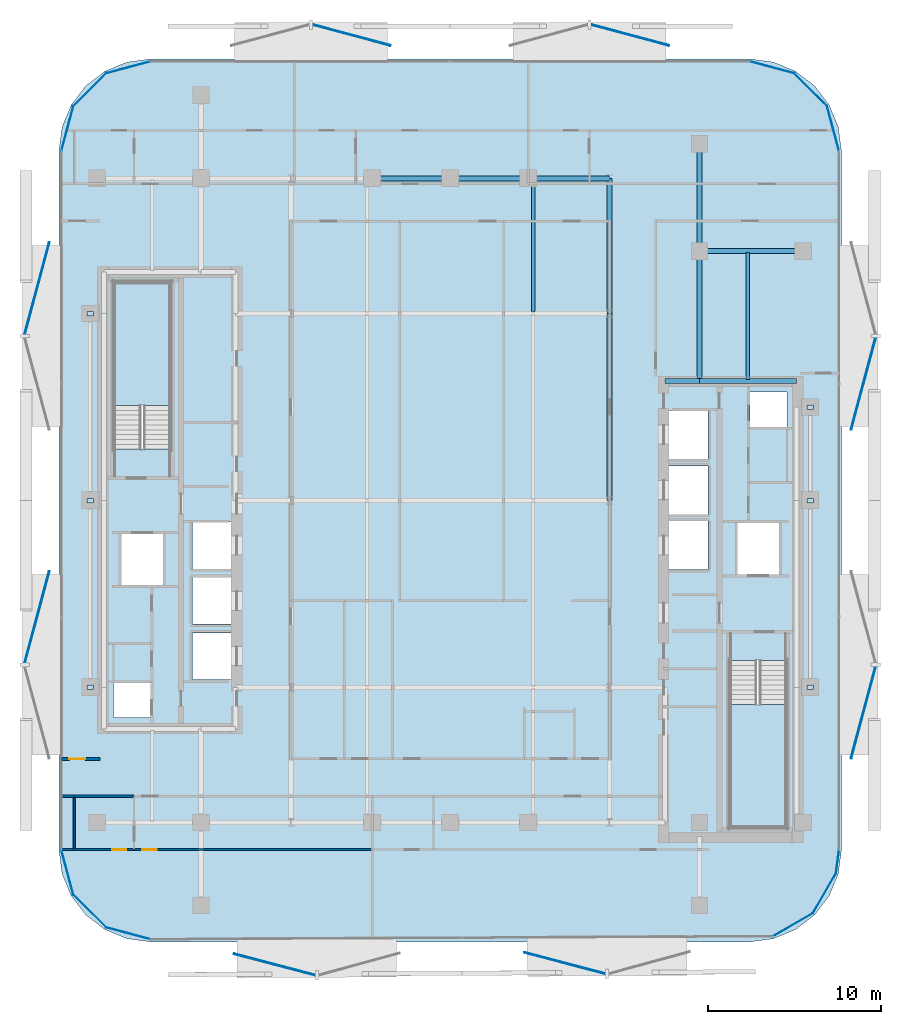
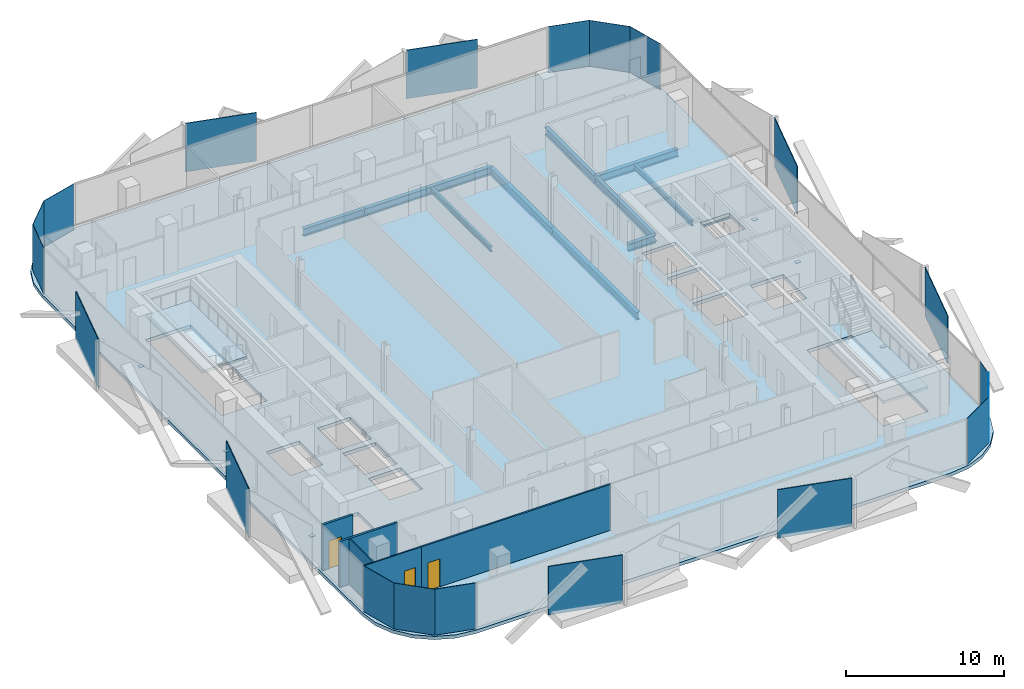
# One storey, part 2 of 16: 26 plates, 12 beams, 5 walls, 3 doors, 3 slabs, 3 openings, 2 elements without a shape of their own.
"""IFC4 building model written with IfcOpenShell, lengths in metres."""

from ifc_helpers import new_model, si_unit, direction, frame, frame_2d, origin, origin_2d, place, context, subcontext, project, spatial, polyline, rectangle, i_section, outline, extrude, material, layer, layer_set, material_profile, profile_set, type_object, element, fill, aggregate, save


model = new_model("IFC4")

# Units and contexts
model_context = context("Model", 3, precision=1e-05, world=origin(), true_north=direction((0.0, 1.0)))
body_context = subcontext(model_context, "Body", "Model", "MODEL_VIEW")
ifc_project = project(units=[si_unit("LENGTHUNIT", "METRE"), si_unit("AREAUNIT", "SQUARE_METRE"), si_unit("VOLUMEUNIT", "CUBIC_METRE"), si_unit("PLANEANGLEUNIT", "RADIAN"), si_unit("MASSUNIT", "GRAM", prefix="KILO")], contexts=[model_context])

# Site, building, storey
site_placement = place(None, origin())
site = spatial("IfcSite", under=ifc_project, at=site_placement, CompositionType="ELEMENT")
building_placement = place(site_placement, origin())
building = spatial("IfcBuilding", under=site, at=building_placement, Name="Khairoan Windgate Tower", CompositionType="ELEMENT")
storey_placement = place(building_placement, frame((0.0, 0.0, 184.0)))
storey = spatial("IfcBuildingStorey", under=building, at=storey_placement, Name="L42", CompositionType="ELEMENT", Elevation=184.0)

# Beams
ifc_material_1 = material(Name="Steel S355", Category="steel")
ifc_material_profile_1 = material_profile(ifc_material_1, i_section(OverallWidth=0.300048828125, OverallDepth=0.587890625, WebThickness=0.011962890625, FlangeThickness=0.02001953125, FilletRadius=0.02392578125, at=origin_2d()))
ifc_profile_set_1 = profile_set([ifc_material_profile_1], Name="Steel S355")
beam_type_1 = type_object("IfcBeamType", Name="Beam B-G4 H588x300x12x20", PredefinedType="BEAM", material=ifc_profile_set_1)
beam_1_placement = place(storey_placement, frame((12.39990234375, 6.89990234375, -0.553955078125), z_axis=(1.0, 0.0, 0.0), x_axis=(0.0, 1.0, 0.0)))
element("IfcBeam", 1, at=beam_1_placement, inside=storey, type_object=beam_type_1, Name="L42 E-W Primary Girder 15", PredefinedType="BEAM", context=body_context, shape_type="SweptSolid", body=[
    extrude(i_section(OverallWidth=0.300048828125, OverallDepth=0.587890625, WebThickness=0.011962890625, FlangeThickness=0.02001953125, FilletRadius=0.02392578125, at=origin_2d()), origin(), (0.0, 0.0, 1.0), 2.0),
])
beam_2_placement = place(storey_placement, frame((14.39990234375, 6.89990234375, -0.553955078125), z_axis=(1.0, 0.0, 0.0), x_axis=(0.0, 1.0, 0.0)))
element("IfcBeam", 2, at=beam_2_placement, inside=storey, type_object=beam_type_1, Name="L42 E-W Primary Girder 16", PredefinedType="BEAM", context=body_context, shape_type="SweptSolid", body=[
    extrude(i_section(OverallWidth=0.300048828125, OverallDepth=0.587890625, WebThickness=0.011962890625, FlangeThickness=0.02001953125, FilletRadius=0.02392578125, at=origin_2d()), origin(), (0.0, 0.0, 1.0), 5.60009765625),
])
beam_3_placement = place(storey_placement, frame((14.39990234375, 14.39990234375, -0.553955078125), z_axis=(1.0, 0.0, 0.0), x_axis=(0.0, 1.0, 0.0)))
element("IfcBeam", 3, at=beam_3_placement, inside=storey, type_object=beam_type_1, Name="L42 E-W Primary Girder 21", PredefinedType="BEAM", context=body_context, shape_type="SweptSolid", body=[
    extrude(i_section(OverallWidth=0.300048828125, OverallDepth=0.587890625, WebThickness=0.011962890625, FlangeThickness=0.02001953125, FilletRadius=0.02392578125, at=origin_2d()), origin(), (0.0, 0.0, 1.0), 6.0),
])
for number, where, z_axis, x_axis, name in (
    (4, (-4.5, 18.60009765625, -0.553955078125), (1.0, 0.0, 0.0), (0.0, 1.0, 0.0), "L42 E-W Primary Girder 25"),
    (5, (0.0, 18.60009765625, -0.553955078125), (1.0, 0.0, 0.0), (0.0, 1.0, 0.0), "L42 E-W Primary Girder 26"),
):
    element("IfcBeam", number, at=place(storey_placement, frame(where, z_axis=z_axis, x_axis=x_axis)), inside=storey, type_object=beam_type_1, Name=name, PredefinedType="BEAM", context=body_context, shape_type="SweptSolid", body=[
        extrude(i_section(OverallWidth=0.300048828125, OverallDepth=0.587890625, WebThickness=0.011962890625, FlangeThickness=0.02001953125, FilletRadius=0.02392578125, at=origin_2d()), origin(), (0.0, 0.0, 1.0), 4.5),
    ])
beam_4_placement = place(storey_placement, frame((4.5, 18.60009765625, -0.553955078125), z_axis=(1.0, 0.0, 0.0), x_axis=(0.0, 1.0, 0.0)))
element("IfcBeam", 6, at=beam_4_placement, inside=storey, type_object=beam_type_1, Name="L42 E-W Primary Girder 27", PredefinedType="BEAM", context=body_context, shape_type="SweptSolid", body=[
    extrude(i_section(OverallWidth=0.300048828125, OverallDepth=0.587890625, WebThickness=0.011962890625, FlangeThickness=0.02001953125, FilletRadius=0.02392578125, at=origin_2d()), origin(), (0.0, 0.0, 1.0), 4.699951171875),
])
beam_5_placement = place(storey_placement, frame((9.199951171875, 0.0, -0.553955078125), z_axis=(0.0, 1.0, 0.0), x_axis=(-1.0, 0.0, 0.0)))
element("IfcBeam", 7, at=beam_5_placement, inside=storey, type_object=beam_type_1, Name="L42 N-S Primary Beam 47", PredefinedType="BEAM", context=body_context, shape_type="SweptSolid", body=[
    extrude(i_section(OverallWidth=0.300048828125, OverallDepth=0.587890625, WebThickness=0.011962890625, FlangeThickness=0.02001953125, FilletRadius=0.02392578125, at=origin_2d()), origin(), (0.0, 0.0, 1.0), 10.800048828125),
])
beam_6_placement = place(storey_placement, frame((9.199951171875, 10.800048828125, -0.553955078125), z_axis=(0.0, 1.0, 0.0), x_axis=(-1.0, 0.0, 0.0)))
element("IfcBeam", 8, at=beam_6_placement, inside=storey, type_object=beam_type_1, Name="L42 N-S Primary Beam 48", PredefinedType="BEAM", context=body_context, shape_type="SweptSolid", body=[
    extrude(i_section(OverallWidth=0.300048828125, OverallDepth=0.587890625, WebThickness=0.011962890625, FlangeThickness=0.02001953125, FilletRadius=0.02392578125, at=origin_2d()), origin(), (0.0, 0.0, 1.0), 7.800048828125),
])
beam_7_placement = place(storey_placement, frame((14.39990234375, 6.89990234375, -0.553955078125), z_axis=(0.0, 1.0, 0.0), x_axis=(-1.0, 0.0, 0.0)))
element("IfcBeam", 9, at=beam_7_placement, inside=storey, type_object=beam_type_1, Name="L42 N-S Primary Beam 51", PredefinedType="BEAM", context=body_context, shape_type="SweptSolid", body=[
    extrude(i_section(OverallWidth=0.300048828125, OverallDepth=0.587890625, WebThickness=0.011962890625, FlangeThickness=0.02001953125, FilletRadius=0.02392578125, at=origin_2d()), origin(), (0.0, 0.0, 1.0), 7.5),
])
beam_8_placement = place(storey_placement, frame((14.39990234375, 14.39990234375, -0.553955078125), z_axis=(0.0, 1.0, 0.0), x_axis=(-1.0, 0.0, 0.0)))
element("IfcBeam", 10, at=beam_8_placement, inside=storey, type_object=beam_type_1, Name="L42 N-S Primary Beam 52", PredefinedType="BEAM", context=body_context, shape_type="SweptSolid", body=[
    extrude(i_section(OverallWidth=0.300048828125, OverallDepth=0.587890625, WebThickness=0.011962890625, FlangeThickness=0.02001953125, FilletRadius=0.02392578125, at=origin_2d()), origin(), (0.0, 0.0, 1.0), 6.2001953125),
])
ifc_material_2 = material(Name="Steel S355", Category="steel")
ifc_material_profile_2 = material_profile(ifc_material_2, i_section(OverallWidth=0.199951171875, OverallDepth=0.39990234375, WebThickness=0.008056640625, FlangeThickness=0.012939453125, FilletRadius=0.01611328125, at=origin_2d()))
ifc_profile_set_2 = profile_set([ifc_material_profile_2], Name="Steel S355")
beam_type_2 = type_object("IfcBeamType", Name="Beam J-S4 H400x200x8x13", PredefinedType="JOIST", material=ifc_profile_set_2)
beam_9_placement = place(storey_placement, frame((4.800048828125, 10.889892578125, -0.4599609375), z_axis=(0.0, 1.0, 0.0), x_axis=(-1.0, 0.0, 0.0)))
element("IfcBeam", 11, at=beam_9_placement, inside=storey, type_object=beam_type_2, Name="L42 Secondary Floor Joist 10", PredefinedType="JOIST", context=body_context, shape_type="SweptSolid", body=[
    extrude(i_section(OverallWidth=0.199951171875, OverallDepth=0.39990234375, WebThickness=0.008056640625, FlangeThickness=0.012939453125, FilletRadius=0.01611328125, at=origin_2d()), origin(), (0.0, 0.0, 1.0), 7.6201171875),
])
beam_10_placement = place(storey_placement, frame((17.199951171875, 6.989990234375, -0.4599609375), z_axis=(0.0, 1.0, 0.0), x_axis=(-1.0, 0.0, 0.0)))
element("IfcBeam", 12, at=beam_10_placement, inside=storey, type_object=beam_type_2, Name="L42 Secondary Floor Joist 11", PredefinedType="JOIST", context=body_context, shape_type="SweptSolid", body=[
    extrude(i_section(OverallWidth=0.199951171875, OverallDepth=0.39990234375, WebThickness=0.008056640625, FlangeThickness=0.012939453125, FilletRadius=0.01611328125, at=origin_2d()), origin(), (0.0, 0.0, 1.0), 7.320068359375),
])

# Plates
ifc_material_3 = material(Name="Low-E Solar Control Laminated Glass", Category="glass")
ifc_layer_1 = layer(ifc_material_3, 0.030029296875, Name="Low-E Solar Control Laminated Glass")
ifc_layer_set_1 = layer_set([ifc_layer_1], Name="Low-E Solar Control Laminated Glass")
plate_type_1 = type_object("IfcPlateType", Name="Aerodynamic Wind-Corner Curved Glazing Plate", PredefinedType="USERDEFINED", material=ifc_layer_set_1)
plate_1_placement = place(storey_placement, frame((-18.585205078125, -25.013916015625, 0.0), z_axis=(0.0, 0.0, 1.0), x_axis=(-0.966061211211, 0.258313252067, 0.0)))
element("IfcPlate", 13, at=plate_1_placement, inside=storey, type_object=plate_type_1, Name="L42 Aerodynamic Wind-Corner Curved Glazing Panel 2", ObjectType="GLAZING PANEL", PredefinedType="USERDEFINED", context=body_context, shape_type="SweptSolid", body=[
    extrude(rectangle(XDim=2.719482421875, YDim=0.030029296875, at=origin_2d()), origin(), (0.0, 0.0, 1.0), 3.5400390625),
])
plate_2_placement = place(storey_placement, frame((-20.823486328125, -23.723388671875, 0.0), z_axis=(0.0, 0.0, 1.0), x_axis=(-0.707106781187, 0.707106781187, 0.0)))
element("IfcPlate", 14, at=plate_2_placement, inside=storey, type_object=plate_type_1, Name="L42 Aerodynamic Wind-Corner Curved Glazing Panel 3", ObjectType="GLAZING PANEL", PredefinedType="USERDEFINED", context=body_context, shape_type="SweptSolid", body=[
    extrude(rectangle(XDim=2.710205078125, YDim=0.030029296875, at=origin_2d()), origin(), (0.0, 0.0, 1.0), 3.5400390625),
])
for number, where, z_axis, x_axis, name in (
    (15, (-22.11376953125, -21.485107421875, 0.0), (0.0, 0.0, 1.0), (-0.258313252067, 0.966061211211, 0.0), "L42 Aerodynamic Wind-Corner Curved Glazing Panel 4"),
    (16, (-22.11376953125, 21.485107421875, 0.0), (0.0, 0.0, 1.0), (0.258313252067, 0.966061211211, 0.0), "L42 Aerodynamic Wind-Corner Curved Glazing Panel 6"),
):
    element("IfcPlate", number, at=place(storey_placement, frame(where, z_axis=z_axis, x_axis=x_axis)), inside=storey, type_object=plate_type_1, Name=name, ObjectType="GLAZING PANEL", PredefinedType="USERDEFINED", context=body_context, shape_type="SweptSolid", body=[
        extrude(rectangle(XDim=2.719482421875, YDim=0.030029296875, at=origin_2d()), origin(), (0.0, 0.0, 1.0), 3.5400390625),
    ])
plate_3_placement = place(storey_placement, frame((-20.823486328125, 23.723388671875, 0.0), z_axis=(0.0, 0.0, 1.0), x_axis=(0.707106781187, 0.707106781187, 0.0)))
element("IfcPlate", 17, at=plate_3_placement, inside=storey, type_object=plate_type_1, Name="L42 Aerodynamic Wind-Corner Curved Glazing Panel 7", ObjectType="GLAZING PANEL", PredefinedType="USERDEFINED", context=body_context, shape_type="SweptSolid", body=[
    extrude(rectangle(XDim=2.710205078125, YDim=0.030029296875, at=origin_2d()), origin(), (0.0, 0.0, 1.0), 3.5400390625),
])
for number, where, z_axis, x_axis, name in (
    (18, (-18.585205078125, 25.013916015625, 0.0), (0.0, 0.0, 1.0), (0.966061211211, 0.258313252067, 0.0), "L42 Aerodynamic Wind-Corner Curved Glazing Panel 8"),
    (19, (18.585205078125, 25.013916015625, 0.0), (0.0, 0.0, 1.0), (0.966061211211, -0.258313252067, 0.0), "L42 Aerodynamic Wind-Corner Curved Glazing Panel 10"),
):
    element("IfcPlate", number, at=place(storey_placement, frame(where, z_axis=z_axis, x_axis=x_axis)), inside=storey, type_object=plate_type_1, Name=name, ObjectType="GLAZING PANEL", PredefinedType="USERDEFINED", context=body_context, shape_type="SweptSolid", body=[
        extrude(rectangle(XDim=2.719482421875, YDim=0.030029296875, at=origin_2d()), origin(), (0.0, 0.0, 1.0), 3.5400390625),
    ])
plate_4_placement = place(storey_placement, frame((20.823486328125, 23.723388671875, 0.0), z_axis=(0.0, 0.0, 1.0), x_axis=(0.707106781187, -0.707106781187, 0.0)))
element("IfcPlate", 20, at=plate_4_placement, inside=storey, type_object=plate_type_1, Name="L42 Aerodynamic Wind-Corner Curved Glazing Panel 11", ObjectType="GLAZING PANEL", PredefinedType="USERDEFINED", context=body_context, shape_type="SweptSolid", body=[
    extrude(rectangle(XDim=2.710205078125, YDim=0.030029296875, at=origin_2d()), origin(), (0.0, 0.0, 1.0), 3.5400390625),
])
plate_5_placement = place(storey_placement, frame((22.11376953125, 21.485107421875, 0.0), z_axis=(0.0, 0.0, 1.0), x_axis=(0.258313252067, -0.966061211211, 0.0)))
element("IfcPlate", 21, at=plate_5_placement, inside=storey, type_object=plate_type_1, Name="L42 Aerodynamic Wind-Corner Curved Glazing Panel 12", ObjectType="GLAZING PANEL", PredefinedType="USERDEFINED", context=body_context, shape_type="SweptSolid", body=[
    extrude(rectangle(XDim=2.719482421875, YDim=0.030029296875, at=origin_2d()), origin(), (0.0, 0.0, 1.0), 3.5400390625),
])
plate_6_placement = place(storey_placement, frame((22.37158203125, -20.863037109375, 0.0), z_axis=(0.0, 0.0, 1.0), x_axis=(-0.13052619222, -0.991444861374, 0.0)))
element("IfcPlate", 22, at=plate_6_placement, inside=storey, type_object=plate_type_1, Name="L42 Aerodynamic Wind-Corner Curved Glazing Panel 14", ObjectType="GLAZING PANEL", PredefinedType="USERDEFINED", context=body_context, shape_type="SweptSolid", body=[
    extrude(rectangle(XDim=1.39599609375, YDim=0.030029296875, at=origin_2d()), origin(), (0.0, 0.0, 1.0), 3.5400390625),
])
for number, where, z_axis, x_axis, name in (
    (23, (21.615478515625, -22.69140625, 0.0), (0.0, 0.0, 1.0), (-0.5, -0.866025403784, 0.0), "L42 Aerodynamic Wind-Corner Curved Glazing Panel 15"),
    (24, (19.79150390625, -24.515380859375, 0.0), (0.0, 0.0, 1.0), (-0.866025403784, -0.5, 0.0), "L42 Aerodynamic Wind-Corner Curved Glazing Panel 16"),
):
    element("IfcPlate", number, at=place(storey_placement, frame(where, z_axis=z_axis, x_axis=x_axis)), inside=storey, type_object=plate_type_1, Name=name, ObjectType="GLAZING PANEL", PredefinedType="USERDEFINED", context=body_context, shape_type="SweptSolid", body=[
        extrude(rectangle(XDim=2.71044921875, YDim=0.030029296875, at=origin_2d()), origin(), (0.0, 0.0, 1.0), 3.5400390625),
    ])
ifc_material_4 = material(Name="Steel S355", Category="steel")
ifc_layer_2 = layer(ifc_material_4, 0.0400390625, Name="Steel S355")
ifc_layer_set_2 = layer_set([ifc_layer_2], Name="Steel S355")
plate_type_2 = type_object("IfcPlateType", Name="Hollow Section End-Cap Plate PL-CAP40", PredefinedType="SHEET", material=ifc_layer_set_2)
for number, where, z_axis, x_axis, name in (
    (25, (-20.800048828125, -10.784912109375, -0.455078125), (0.0, 0.0, 1.0), (0.0, 1.0, 0.0), "BM-SP-L42-028 steel end-cap plate 1"),
    (26, (-20.800048828125, -0.014892578125, -0.455078125), (0.0, 0.0, 1.0), (0.0, 1.0, 0.0), "BM-SP-L42-028 steel end-cap plate 2"),
    (27, (-20.800048828125, 10.784912109375, -0.455078125), (0.0, 0.0, 1.0), (0.0, 1.0, 0.0), "BM-SP-L42-029 steel end-cap plate 2"),
    (28, (20.800048828125, -10.784912109375, -0.455078125), (0.0, 0.0, 1.0), (0.0, 1.0, 0.0), "BM-SP-L42-056 steel end-cap plate 1"),
    (29, (20.800048828125, -0.014892578125, -0.455078125), (0.0, 0.0, 1.0), (0.0, 1.0, 0.0), "BM-SP-L42-056 steel end-cap plate 2"),
    (30, (20.800048828125, 5.385009765625, -0.455078125), (0.0, 0.0, 1.0), (0.0, 1.0, 0.0), "BM-SP-L42-057 steel end-cap plate 2"),
):
    element("IfcPlate", number, at=place(storey_placement, frame(where, z_axis=z_axis, x_axis=x_axis)), inside=storey, type_object=plate_type_2, Name=name, PredefinedType="SHEET", context=body_context, shape_type="SweptSolid", body=[
        extrude(rectangle(XDim=0.27001953125, YDim=0.3701171875, at=origin_2d()), origin(), (0.0, 0.0, 1.0), 0.0400390625),
    ])
ifc_material_5 = material(Name="Anodised Bronze Aluminium 6063-T6", Category="aluminium")
ifc_layer_3 = layer(ifc_material_5, 0.054931640625, Name="Anodised Bronze Aluminium 6063-T6")
ifc_layer_set_3 = layer_set([ifc_layer_3], Name="Anodised Bronze Aluminium 6063-T6")
plate_type_3 = type_object("IfcPlateType", Name="Perforated Bronze Solar Screen Panel BSP-1", PredefinedType="USERDEFINED", material=ifc_layer_set_3)
for number, where, z_axis, x_axis, name in (
    (31, (6.623291015625, -26.733154296875, -0.10009765625), (0.0, 0.0, 1.0), (-0.967179115616, 0.254095569259, 0.0), "L42 Perforated Bronze Solar Screen Panel 273R"),
    (32, (-10.1396484375, -26.815673828125, -0.10009765625), (0.0, 0.0, 1.0), (-0.967179115616, 0.254095569259, 0.0), "L42 Perforated Bronze Solar Screen Panel 274R"),
):
    element("IfcPlate", number, at=place(storey_placement, frame(where, z_axis=z_axis, x_axis=x_axis)), inside=storey, type_object=plate_type_3, Name=name, ObjectType="SCREEN", PredefinedType="USERDEFINED", context=body_context, shape_type="SweptSolid", body=[
        extrude(rectangle(XDim=4.861083984375, YDim=0.054931640625, at=origin_2d()), origin(), (0.0, 0.0, 1.0), 3.739990234375),
    ])
for number, where, z_axis, x_axis, name in (
    (33, (-23.8671875, -6.74560546875, -0.10009765625), (0.0, 0.0, 1.0), (0.258819045103, 0.965925826289, 0.0), "L42 Perforated Bronze Solar Screen Panel 275R"),
    (34, (-23.8671875, 12.2451171875, -0.10009765625), (0.0, 0.0, 1.0), (0.258819045103, 0.965925826289, 0.0), "L42 Perforated Bronze Solar Screen Panel 276R"),
):
    element("IfcPlate", number, at=place(storey_placement, frame(where, z_axis=z_axis, x_axis=x_axis)), inside=storey, type_object=plate_type_3, Name=name, ObjectType="SCREEN", PredefinedType="USERDEFINED", context=body_context, shape_type="SweptSolid", body=[
        extrude(rectangle(XDim=5.507080078125, YDim=0.054931640625, at=origin_2d()), origin(), (0.0, 0.0, 1.0), 3.739990234375),
    ])
for number, where, z_axis, x_axis, name in (
    (35, (-5.701904296875, 26.876220703125, -0.10009765625), (0.0, 0.0, 1.0), (0.965925826289, -0.258819045103, 0.0), "L42 Perforated Bronze Solar Screen Panel 277R"),
    (36, (10.388916015625, 26.876220703125, -0.10009765625), (0.0, 0.0, 1.0), (0.965925826289, -0.258819045103, 0.0), "L42 Perforated Bronze Solar Screen Panel 278R"),
):
    element("IfcPlate", number, at=place(storey_placement, frame(where, z_axis=z_axis, x_axis=x_axis)), inside=storey, type_object=plate_type_3, Name=name, ObjectType="SCREEN", PredefinedType="USERDEFINED", context=body_context, shape_type="SweptSolid", body=[
        extrude(rectangle(XDim=4.666015625, YDim=0.054931640625, at=origin_2d()), origin(), (0.0, 0.0, 1.0), 3.739990234375),
    ])
for number, where, z_axis, x_axis, name in (
    (37, (23.8671875, 6.74560546875, -0.10009765625), (0.0, 0.0, 1.0), (-0.258819045103, -0.965925826289, 0.0), "L42 Perforated Bronze Solar Screen Panel 279R"),
    (38, (23.8671875, -12.2451171875, -0.10009765625), (0.0, 0.0, 1.0), (-0.258819045103, -0.965925826289, 0.0), "L42 Perforated Bronze Solar Screen Panel 280R"),
):
    element("IfcPlate", number, at=place(storey_placement, frame(where, z_axis=z_axis, x_axis=x_axis)), inside=storey, type_object=plate_type_3, Name=name, ObjectType="SCREEN", PredefinedType="USERDEFINED", context=body_context, shape_type="SweptSolid", body=[
        extrude(rectangle(XDim=5.507080078125, YDim=0.054931640625, at=origin_2d()), origin(), (0.0, 0.0, 1.0), 3.739990234375),
    ])

# Stair, slab
ifc_material_6 = material(Name="Concrete C40/50", Category="concrete")
stair_type = type_object("IfcStairType", Name="Tower Core Dog-Leg Stair ST-T1 1560mm", PredefinedType="HALF_TURN_STAIR", material=ifc_material_6)
stair_1_placement = place(storey_placement, origin())
stair_1 = element("IfcStair", 39, at=stair_1_placement, inside=storey, type_object=stair_type, Name="L42 Stair ST1", PredefinedType="HALF_TURN_STAIR")
ifc_material_7 = material(Name="Concrete C40/50", Category="concrete")
ifc_layer_4 = layer(ifc_material_7, 0.199951171875, Name="Concrete C40/50")
ifc_layer_set_4 = layer_set([ifc_layer_4], Name="Concrete C40/50")
slab_type_1 = type_object("IfcSlabType", Name="Reinforced Concrete Stair Landing Slab STL-200", PredefinedType="LANDING", material=ifc_layer_set_4)
slab_1_placement = place(storey_placement, frame((0.0, 0.0, 1.699951171875)))
slab_1 = element("IfcSlab", 40, at=slab_1_placement, type_object=slab_type_1, Name="ST1 landing 1", PredefinedType="LANDING", context=body_context, shape_type="SweptSolid", body=[
    extrude(outline(polyline([(16.14990234375, -11.780029296875), (16.14990234375, -18.89990234375), (19.419921875, -18.89990234375), (19.419921875, -11.780029296875), (16.14990234375, -11.780029296875)])), origin(), (0.0, 0.0, 1.0), 0.199951171875),
])
aggregate(stair_1, [slab_1])

stair_2_placement = place(storey_placement, origin())
stair_2 = element("IfcStair", 41, at=stair_2_placement, inside=storey, type_object=stair_type, Name="L42 Stair ST2", PredefinedType="HALF_TURN_STAIR")
slab_2_placement = place(storey_placement, frame((0.0, 0.0, 1.699951171875)))
slab_2 = element("IfcSlab", 42, at=slab_2_placement, type_object=slab_type_1, Name="ST2 landing 1", PredefinedType="LANDING", context=body_context, shape_type="SweptSolid", body=[
    extrude(outline(polyline([(-16.14990234375, 5.47998046875), (-16.14990234375, 12.60009765625), (-19.419921875, 12.60009765625), (-19.419921875, 5.47998046875), (-16.14990234375, 5.47998046875)])), origin(), (0.0, 0.0, 1.0), 0.199951171875),
])
aggregate(stair_2, [slab_2])

# Slab
ifc_material_8 = material(Name="Concrete C40/50", Category="concrete")
ifc_layer_5 = layer(ifc_material_8, 0.260009765625, Name="Concrete C40/50")
ifc_layer_set_5 = layer_set([ifc_layer_5], Name="Concrete C40/50")
slab_type_2 = type_object("IfcSlabType", Name="Tower Composite Floor Slab FS2 260mm", PredefinedType="FLOOR", material=ifc_layer_set_5)
slab_3_placement = place(storey_placement, frame((0.0, 0.0, -0.260009765625)))
element("IfcSlab", 43, at=slab_3_placement, inside=storey, type_object=slab_type_2, Name="L42 Structural Floor Slab", PredefinedType="FLOOR", context=body_context, shape_type="SweptSolid", body=[
    extrude(outline(polyline([(17.300048828125, -25.5), (18.671630859375, -25.3193359375), (19.949951171875, -24.789794921875), (21.047607421875, -23.94775390625), (21.889892578125, -22.85009765625), (22.41943359375, -21.57177734375), (22.60009765625, -20.199951171875), (22.60009765625, 20.199951171875), (22.41943359375, 21.57177734375), (21.889892578125, 22.85009765625), (21.047607421875, 23.94775390625), (19.949951171875, 24.789794921875), (18.671630859375, 25.3193359375), (17.300048828125, 25.5), (-17.300048828125, 25.5), (-18.671630859375, 25.3193359375), (-19.949951171875, 24.789794921875), (-21.047607421875, 23.94775390625), (-21.889892578125, 22.85009765625), (-22.41943359375, 21.57177734375), (-22.60009765625, 20.199951171875), (-22.60009765625, -20.199951171875), (-22.41943359375, -21.57177734375), (-21.889892578125, -22.85009765625), (-21.047607421875, -23.94775390625), (-19.949951171875, -24.789794921875), (-18.671630859375, -25.3193359375), (-17.300048828125, -25.5), (17.300048828125, -25.5)]), holes=[polyline([(16.14990234375, -9.260009765625), (16.14990234375, -18.89990234375), (19.419921875, -18.89990234375), (19.419921875, -9.260009765625), (16.14990234375, -9.260009765625)]), polyline([(-16.14990234375, 2.9599609375), (-16.14990234375, 12.60009765625), (-19.419921875, 12.60009765625), (-19.419921875, 2.9599609375), (-16.14990234375, 2.9599609375)]), polyline([(-14.89990234375, -3.949951171875), (-12.5, -3.949951171875), (-12.5, -1.25), (-14.89990234375, -1.25), (-14.89990234375, -3.949951171875)]), polyline([(-14.89990234375, -7.14990234375), (-12.5, -7.14990234375), (-12.5, -4.449951171875), (-14.89990234375, -4.449951171875), (-14.89990234375, -7.14990234375)]), polyline([(-14.89990234375, -10.35009765625), (-12.5, -10.35009765625), (-12.5, -7.64990234375), (-14.89990234375, -7.64990234375), (-14.89990234375, -10.35009765625)]), polyline([(12.5, 2.39990234375), (14.89990234375, 2.39990234375), (14.89990234375, 5.199951171875), (12.5, 5.199951171875), (12.5, 2.39990234375)]), polyline([(12.5, -0.800048828125), (14.89990234375, -0.800048828125), (14.89990234375, 2.0), (12.5, 2.0), (12.5, -0.800048828125)]), polyline([(12.5, -4.0), (14.89990234375, -4.0), (14.89990234375, -1.199951171875), (12.5, -1.199951171875), (12.5, -4.0)]), polyline([(16.60009765625, -4.300048828125), (19.0, -4.300048828125), (19.0, -1.300048828125), (16.60009765625, -1.300048828125), (16.60009765625, -4.300048828125)]), polyline([(-19.0, -4.89990234375), (-16.60009765625, -4.89990234375), (-16.60009765625, -1.89990234375), (-19.0, -1.89990234375), (-19.0, -4.89990234375)]), polyline([(-19.449951171875, -12.550048828125), (-17.31005859375, -12.550048828125), (-17.31005859375, -10.550048828125), (-19.449951171875, -10.550048828125), (-19.449951171875, -12.550048828125)]), polyline([(17.31005859375, 4.25), (19.449951171875, 4.25), (19.449951171875, 6.25), (17.31005859375, 6.25), (17.31005859375, 4.25)])]), origin(), (0.0, 0.0, 1.0), 0.260009765625),
])

# Wall, opening, door
ifc_material_9 = material(Name="Moisture-Resistant Gypsum Partition", Category="gypsum")
ifc_layer_6 = layer(ifc_material_9, 0.10009765625, Name="Moisture-Resistant Gypsum Partition")
ifc_layer_set_6 = layer_set([ifc_layer_6], Name="Moisture-Resistant Gypsum Partition")
wall_type_1 = type_object("IfcWallType", Name="Bathroom Wet-Area Partition Wall", PredefinedType="PARTITIONING", material=ifc_layer_set_6)
wall_1_placement = place(storey_placement, frame((-22.455078125, -20.169921875, 0.0), z_axis=(0.0, 0.0, 1.0), x_axis=(1.0, 0.0, 0.0)))
wall_1 = element("IfcWall", 44, at=wall_1_placement, inside=storey, type_object=wall_type_1, Name="L42 Interior Partition 065", PredefinedType="PARTITIONING", context=body_context, shape_type="SweptSolid", body=[
    extrude(rectangle(XDim=4.195068359375, YDim=0.10009765625, at=frame_2d((2.09765625, 0.0))), origin(), (0.0, 0.0, 1.0), 3.5400390625),
])
opening_1_placement = place(wall_1_placement, frame((2.93505859375, 0.0, 0.0)))
opening_1 = element("IfcOpeningElement", 45, at=opening_1_placement, cuts=wall_1, Name="Opening ID-BTH", PredefinedType="OPENING", context=body_context, shape_type="SweptSolid", body=[
    extrude(rectangle(XDim=0.800048828125, YDim=2.10009765625, at=frame_2d((0.39990234375, 1.050048828125))), frame((0.0, 0.06005859375, 0.0), z_axis=(0.0, -1.0, 0.0), x_axis=(1.0, 0.0, 0.0)), (0.0, 0.0, 1.0), 0.1201171875),
])
ifc_material_10 = material(Name="Teak Veneer Timber Leaf", Category="wood")
door_type_1 = type_object("IfcDoorType", Name="Internal Bathroom Door ID-BTH 800x2100", OperationType="NOTDEFINED", PredefinedType="DOOR", material=ifc_material_10)
door_1_placement = place(opening_1_placement, origin())
door_1 = element("IfcDoor", 46, at=door_1_placement, inside=storey, type_object=door_type_1, Name="L42 L42-51-L42-53 Door", OperationType="SINGLE_SWING_RIGHT", OverallHeight=2.10009765625, OverallWidth=0.800048828125, PredefinedType="DOOR", context=body_context, shape_type="SweptSolid", body=[
    extrude(rectangle(XDim=0.800048828125, YDim=2.10009765625, at=frame_2d((0.39990234375, 1.050048828125))), frame((0.0, 0.02490234375, 0.0), z_axis=(0.0, -1.0, 0.0), x_axis=(1.0, 0.0, 0.0)), (0.0, 0.0, 1.0), 0.050048828125),
])
fill(opening_1, door_1)

# Wall
wall_2_placement = place(storey_placement, frame((-21.719970703125, -20.1201171875, 0.0), z_axis=(0.0, 0.0, 1.0), x_axis=(0.0, 1.0, 0.0)))
element("IfcWall", 47, at=wall_2_placement, inside=storey, type_object=wall_type_1, Name="L42 Wet Room Side Wall 077", PredefinedType="PARTITIONING", context=body_context, shape_type="SweptSolid", body=[
    extrude(rectangle(XDim=2.965087890625, YDim=0.10009765625, at=frame_2d((1.482421875, 0.0))), origin(), (0.0, 0.0, 1.0), 3.5400390625),
])

# Wall, opening, door
ifc_material_11 = material(Name="Gypsum Stud Partition", Category="gypsum")
ifc_layer_7 = layer(ifc_material_11, 0.1201171875, Name="Gypsum Stud Partition")
ifc_layer_set_7 = layer_set([ifc_layer_7], Name="Gypsum Stud Partition")
wall_type_2 = type_object("IfcWallType", Name="Internal Room Partition Wall", PredefinedType="PARTITIONING", material=ifc_layer_set_7)
wall_3_placement = place(storey_placement, frame((-18.260009765625, -20.169921875, 0.0), z_axis=(0.0, 0.0, 1.0), x_axis=(1.0, 0.0, 0.0)))
wall_3 = element("IfcWall", 48, at=wall_3_placement, inside=storey, type_object=wall_type_2, Name="L42 Interior Partition 066", PredefinedType="PARTITIONING", context=body_context, shape_type="SweptSolid", body=[
    extrude(rectangle(XDim=13.760009765625, YDim=0.1201171875, at=frame_2d((6.8798828125, 0.0))), origin(), (0.0, 0.0, 1.0), 3.5400390625),
])
opening_2_placement = place(wall_3_placement, frame((0.4599609375, 0.0, 0.0)))
opening_2 = element("IfcOpeningElement", 49, at=opening_2_placement, cuts=wall_3, Name="Opening ID-RM", PredefinedType="OPENING", context=body_context, shape_type="SweptSolid", body=[
    extrude(rectangle(XDim=0.860107421875, YDim=2.14990234375, at=frame_2d((0.43017578125, 1.074951171875))), frame((0.0, 0.070068359375, 0.0), z_axis=(0.0, -1.0, 0.0), x_axis=(1.0, 0.0, 0.0)), (0.0, 0.0, 1.0), 0.14013671875),
])
ifc_material_12 = material(Name="Teak Veneer Timber Leaf", Category="wood")
door_type_2 = type_object("IfcDoorType", Name="Internal Bedroom and Office Door ID-RM 860x2150", OperationType="NOTDEFINED", PredefinedType="DOOR", material=ifc_material_12)
door_2_placement = place(opening_2_placement, origin())
door_2 = element("IfcDoor", 50, at=door_2_placement, inside=storey, type_object=door_type_2, Name="L42 L42-52-L42-53 Door", OperationType="SINGLE_SWING_LEFT", OverallHeight=2.14990234375, OverallWidth=0.860107421875, PredefinedType="DOOR", context=body_context, shape_type="SweptSolid", body=[
    extrude(rectangle(XDim=0.860107421875, YDim=2.14990234375, at=frame_2d((0.43017578125, 1.074951171875))), frame((0.0, 0.02490234375, 0.0), z_axis=(0.0, -1.0, 0.0), x_axis=(1.0, 0.0, 0.0)), (0.0, 0.0, 1.0), 0.050048828125),
])
fill(opening_2, door_2)

# Wall
ifc_material_13 = material(Name="Acoustic Fire-Rated Gypsum Partition", Category="gypsum")
ifc_layer_8 = layer(ifc_material_13, 0.14990234375, Name="Acoustic Fire-Rated Gypsum Partition")
ifc_layer_set_8 = layer_set([ifc_layer_8], Name="Acoustic Fire-Rated Gypsum Partition")
wall_type_3 = type_object("IfcWallType", Name="Rated Corridor Partition Wall", PredefinedType="PARTITIONING", material=ifc_layer_set_8)
wall_4_placement = place(storey_placement, frame((-22.455078125, -17.080078125, 0.0), z_axis=(0.0, 0.0, 1.0), x_axis=(1.0, 0.0, 0.0)))
element("IfcWall", 51, at=wall_4_placement, inside=storey, type_object=wall_type_3, Name="L42 Interior Partition 035", PredefinedType="PARTITIONING", context=body_context, shape_type="SweptSolid", body=[
    extrude(rectangle(XDim=4.195068359375, YDim=0.14990234375, at=frame_2d((2.09765625, 0.0))), origin(), (0.0, 0.0, 1.0), 3.5400390625),
])

# Wall, opening, door
wall_5_placement = place(storey_placement, frame((-22.455078125, -14.93994140625, 0.0), z_axis=(0.0, 0.0, 1.0), x_axis=(1.0, 0.0, 0.0)))
wall_5 = element("IfcWall", 52, at=wall_5_placement, inside=storey, type_object=wall_type_3, Name="L42 Interior Partition 039", PredefinedType="PARTITIONING", context=body_context, shape_type="SweptSolid", body=[
    extrude(rectangle(XDim=2.215087890625, YDim=0.14990234375, at=frame_2d((1.107421875, 0.0))), origin(), (0.0, 0.0, 1.0), 3.5400390625),
])
opening_3_placement = place(wall_5_placement, frame((0.4599609375, 0.0, 0.0)))
opening_3 = element("IfcOpeningElement", 53, at=opening_3_placement, cuts=wall_5, Name="Opening FD-ENT", PredefinedType="OPENING", context=body_context, shape_type="SweptSolid", body=[
    extrude(rectangle(XDim=0.89990234375, YDim=2.14990234375, at=frame_2d((0.449951171875, 1.074951171875))), frame((0.0, 0.0849609375, 0.0), z_axis=(0.0, -1.0, 0.0), x_axis=(1.0, 0.0, 0.0)), (0.0, 0.0, 1.0), 0.169921875),
])
ifc_material_14 = material(Name="Timber Fire-Rated Core", Category="wood")
door_type_3 = type_object("IfcDoorType", Name="Unit and Office Fire Entrance Door FD-ENT 900x2150", OperationType="NOTDEFINED", PredefinedType="DOOR", material=ifc_material_14)
door_3_placement = place(opening_3_placement, origin())
door_3 = element("IfcDoor", 54, at=door_3_placement, inside=storey, type_object=door_type_3, Name="L42 L42-33-L42-58 Door", OperationType="SINGLE_SWING_LEFT", OverallHeight=2.14990234375, OverallWidth=0.89990234375, PredefinedType="DOOR", context=body_context, shape_type="SweptSolid", body=[
    extrude(rectangle(XDim=0.89990234375, YDim=2.14990234375, at=frame_2d((0.449951171875, 1.074951171875))), frame((0.0, 0.02490234375, 0.0), z_axis=(0.0, -1.0, 0.0), x_axis=(1.0, 0.0, 0.0)), (0.0, 0.0, 1.0), 0.050048828125),
])
fill(opening_3, door_3)

save(model, "model.ifc")
